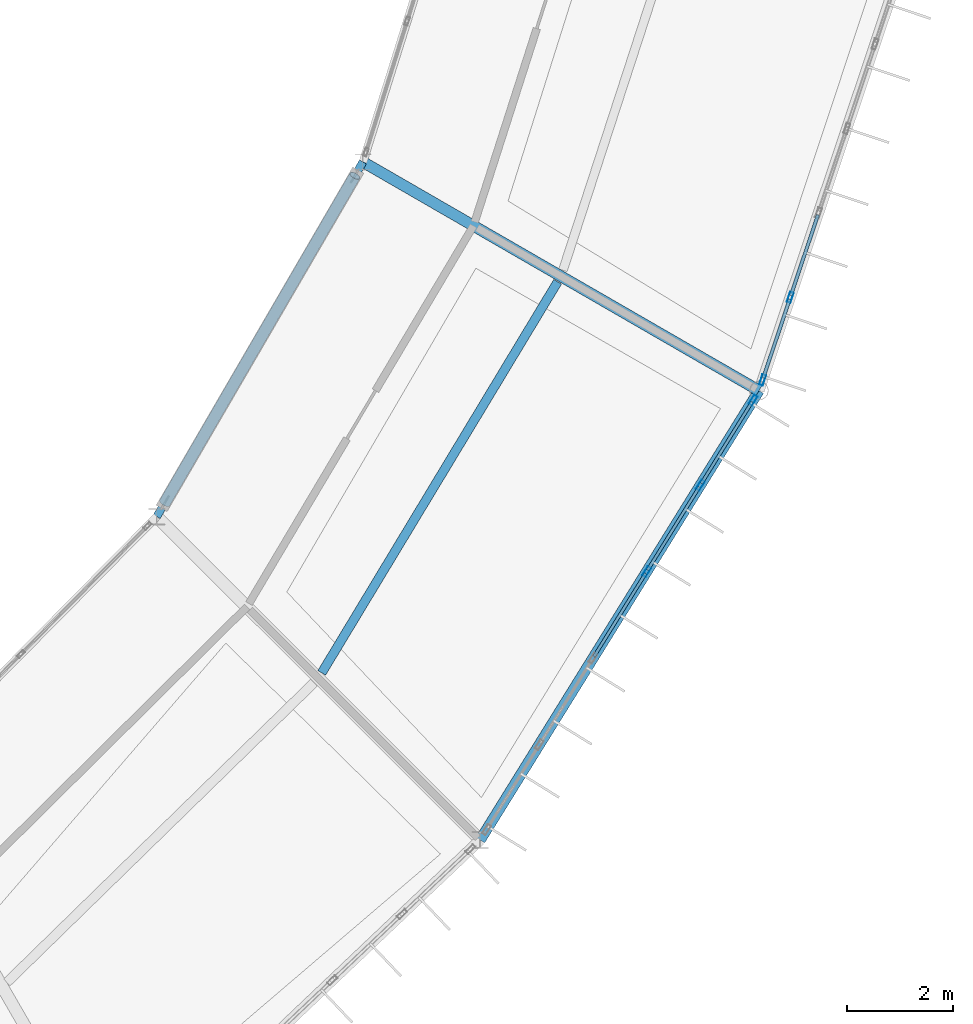
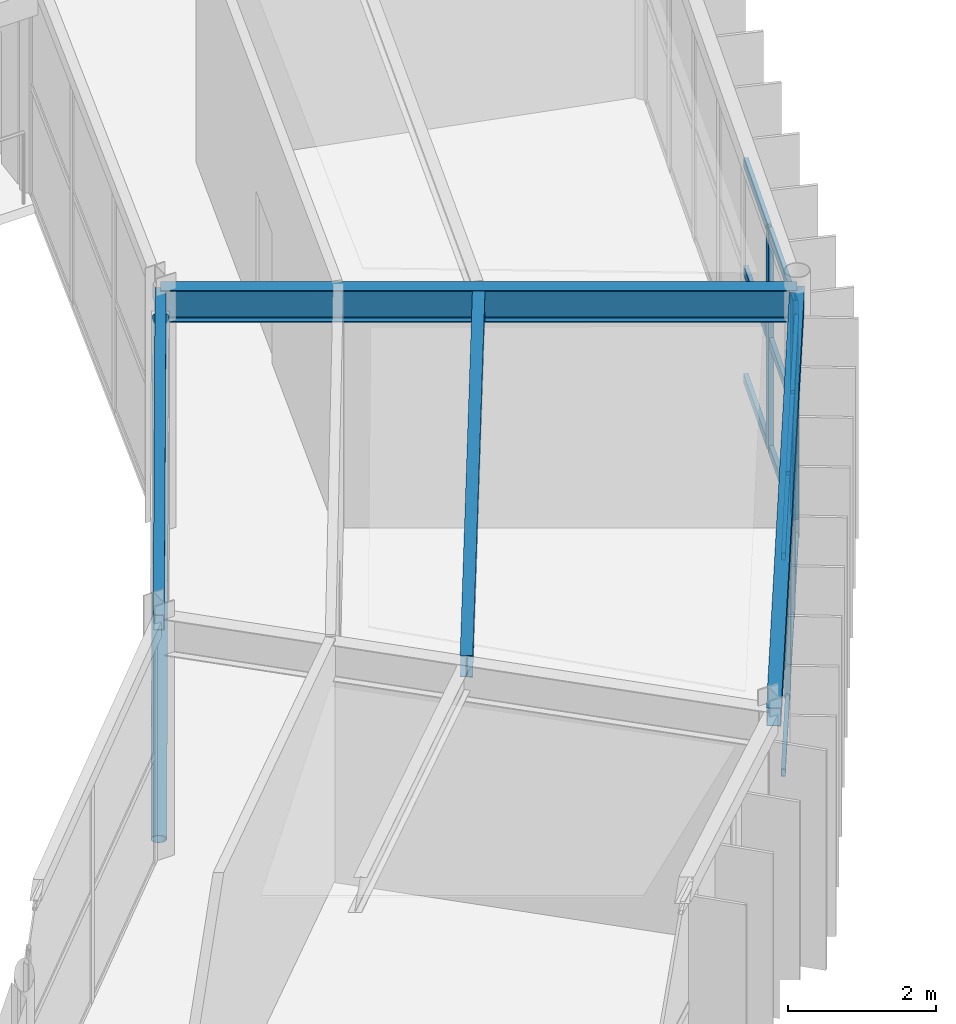
# One storey, part 54 of 148: 21 members, 4 beams, 2 elements without a shape of their own.
"""IFC4 building model written with IfcOpenShell, lengths in metres."""

from ifc_helpers import new_model, si_unit, direction, frame, origin, origin_2d, place, context, subcontext, project, spatial, hollow_rectangle, hollow_circle, i_section, extrude, material, material_profile, profile_set, type_object, element, aggregate, save


model = new_model("IFC4")

# Units and contexts
model_context = context("Model", 3, precision=1e-05, world=origin(), true_north=direction((0.0, 1.0)))
body_context = subcontext(model_context, "Body", "Model", "MODEL_VIEW")
ifc_project = project(units=[si_unit("LENGTHUNIT", "METRE"), si_unit("AREAUNIT", "SQUARE_METRE"), si_unit("VOLUMEUNIT", "CUBIC_METRE"), si_unit("PLANEANGLEUNIT", "RADIAN"), si_unit("MASSUNIT", "GRAM", prefix="KILO")], contexts=[model_context])

# Site, building, storey
site_placement = place(None, origin())
site = spatial("IfcSite", under=ifc_project, at=site_placement, CompositionType="ELEMENT")
building_placement = place(site_placement, origin())
building = spatial("IfcBuilding", under=site, at=building_placement, Name="Karori Crest Natural Sciences Institute", CompositionType="ELEMENT")
storey_placement = place(building_placement, frame((0.0, 0.0, 4.89990234375)))
storey = spatial("IfcBuildingStorey", under=building, at=storey_placement, Name="L01", CompositionType="ELEMENT", Elevation=4.89990234375)

# Beams
ifc_material_1 = material(Name="Structural steel AS/NZS 3679.1 Grade 350", Category="steel")
ifc_material_profile_1 = material_profile(ifc_material_1, i_section(OverallWidth=0.208984375, OverallDepth=0.532958984375, WebThickness=0.01025390625, FlangeThickness=0.015625, FilletRadius=0.013916015625, at=origin_2d()), Name="530UB92.4")
ifc_profile_set_1 = profile_set([ifc_material_profile_1], Name="Structural steel AS/NZS 3679.1 Grade 350")
beam_type_1 = type_object("IfcBeamType", Name="BT-05", PredefinedType="BEAM", material=ifc_profile_set_1)
beam_1_placement = place(storey_placement, frame((87.531005859375, 33.800048828125, 3.673583984375), z_axis=(0.866021068297, -0.500007509209, 0.0), x_axis=(0.500007509209, 0.866021068297, 0.0)))
element("IfcBeam", 1, at=beam_1_placement, inside=storey, type_object=beam_type_1, Name="Beam B-0266", PredefinedType="BEAM", context=body_context, shape_type="SweptSolid", body=[
    extrude(i_section(OverallWidth=0.208984375, OverallDepth=0.532958984375, WebThickness=0.01025390625, FlangeThickness=0.015625, FilletRadius=0.013916015625, at=origin_2d()), origin(), (0.0, 0.0, 1.0), 8.599853515625),
])
ifc_material_2 = material(Name="Hollow structural steel AS/NZS 1163 Grade C350", Category="steel")
ifc_material_profile_2 = material_profile(ifc_material_2, hollow_rectangle(XDim=0.199951171875, YDim=0.300048828125, WallThickness=0.010009765625, at=origin_2d()), Name="RHS300x200x10")
ifc_profile_set_2 = profile_set([ifc_material_profile_2], Name="Hollow structural steel AS/NZS 1163 Grade C350")
beam_type_2 = type_object("IfcBeamType", Name="BT-15", PredefinedType="SPANDREL", material=ifc_profile_set_2)
beam_2_placement = place(storey_placement, frame((89.734619140625, 21.050048828125, 3.7900390625), z_axis=(0.527315195609, 0.849669750244, 0.0), x_axis=(-0.849669750244, 0.527315195609, 0.0)))
element("IfcBeam", 2, at=beam_2_placement, inside=storey, type_object=beam_type_2, Name="Beam B-0260", PredefinedType="SPANDREL", context=body_context, shape_type="SweptSolid", body=[
    extrude(hollow_rectangle(XDim=0.199951171875, YDim=0.300048828125, WallThickness=0.010009765625, at=origin_2d()), origin(), (0.0, 0.0, 1.0), 9.945068359375),
])
ifc_material_profile_3 = material_profile(ifc_material_2, hollow_rectangle(XDim=0.14990234375, YDim=0.25, WallThickness=0.009033203125, at=origin_2d()), Name="RHS250x150x9")
ifc_profile_set_3 = profile_set([ifc_material_profile_3], Name="Hollow structural steel AS/NZS 1163 Grade C350")
beam_type_3 = type_object("IfcBeamType", Name="BT-16", PredefinedType="SPANDREL", material=ifc_profile_set_3)
beam_3_placement = place(storey_placement, frame((83.6533203125, 27.131103515625, 3.7900390625), z_axis=(0.502658410953, 0.864485119536, 0.0), x_axis=(-0.864485119536, 0.502658410953, 0.0)))
element("IfcBeam", 3, at=beam_3_placement, inside=storey, type_object=beam_type_3, Name="Beam B-0261", PredefinedType="SPANDREL", context=body_context, shape_type="SweptSolid", body=[
    extrude(hollow_rectangle(XDim=0.14990234375, YDim=0.25, WallThickness=0.009033203125, at=origin_2d()), origin(), (0.0, 0.0, 1.0), 7.71435546875),
])
ifc_material_profile_4 = material_profile(ifc_material_1, i_section(OverallWidth=0.1708984375, OverallDepth=0.35595703125, WebThickness=0.00732421875, FlangeThickness=0.011474609375, FilletRadius=0.010986328125, at=origin_2d()), Name="360UB50.7")
ifc_profile_set_4 = profile_set([ifc_material_profile_4], Name="Structural steel AS/NZS 3679.1 Grade 350")
beam_type_4 = type_object("IfcBeamType", Name="BT-30", PredefinedType="BEAM", material=ifc_profile_set_4)
beam_4_placement = place(storey_placement, frame((86.755859375, 24.193359375, 3.76220703125), z_axis=(0.516601017309, 0.856226248672, 0.0), x_axis=(-0.856226248672, 0.516601017309, 0.0)))
element("IfcBeam", 4, at=beam_4_placement, inside=storey, type_object=beam_type_4, Name="Beam B-0263", PredefinedType="BEAM", context=body_context, shape_type="SweptSolid", body=[
    extrude(i_section(OverallWidth=0.1708984375, OverallDepth=0.35595703125, WebThickness=0.00732421875, FlangeThickness=0.011474609375, FilletRadius=0.010986328125, at=origin_2d()), origin(), (0.0, 0.0, 1.0), 8.5888671875),
])

# Curtain wall, members
ifc_material_3 = material(Name="Anodised architectural aluminium 6063-T6", Category="aluminium")
curtain_wall_type_1 = type_object("IfcCurtainWallType", Name="CWT-02", PredefinedType="NOTDEFINED", material=ifc_material_3)
curtain_wall_1_placement = place(storey_placement, origin())
curtain_wall_1 = element("IfcCurtainWall", 5, at=curtain_wall_1_placement, inside=storey, type_object=curtain_wall_type_1, Name="Curtain wall CW-0061", PredefinedType="NOTDEFINED")
ifc_material_profile_5 = material_profile(ifc_material_3, hollow_rectangle(XDim=0.074951171875, YDim=0.199951171875, WallThickness=0.0048828125, at=origin_2d()), Name="CWM200x75x5")
ifc_profile_set_5 = profile_set([ifc_material_profile_5], Name="Anodised architectural aluminium 6063-T6")
member_type_1 = type_object("IfcMemberType", Name="CWM-02", PredefinedType="MULLION", material=ifc_profile_set_5)
member_1_placement = place(storey_placement, frame((94.8662109375, 29.31884765625, 0.0), z_axis=(0.0, 0.0, 1.0), x_axis=(0.849662102168, -0.527327518853, 0.0)))
member_1 = element("IfcMember", 6, at=member_1_placement, type_object=member_type_1, Name="CW-0061 mullion 1", PredefinedType="MULLION", context=body_context, shape_type="SweptSolid", body=[
    extrude(hollow_rectangle(XDim=0.074951171875, YDim=0.199951171875, WallThickness=0.0048828125, at=origin_2d()), origin(), (0.0, 0.0, 1.0), 3.625),
])
member_2_placement = place(storey_placement, frame((93.8759765625, 27.722900390625, 0.0), z_axis=(0.0, 0.0, 1.0), x_axis=(0.849662102168, -0.527327518853, 0.0)))
member_2 = element("IfcMember", 7, at=member_2_placement, type_object=member_type_1, Name="CW-0061 mullion 2", PredefinedType="MULLION", context=body_context, shape_type="SweptSolid", body=[
    extrude(hollow_rectangle(XDim=0.074951171875, YDim=0.199951171875, WallThickness=0.0048828125, at=origin_2d()), origin(), (0.0, 0.0, 1.0), 3.625),
])
member_3_placement = place(storey_placement, frame((92.86572265625, 26.094970703125, 0.0), z_axis=(0.0, 0.0, 1.0), x_axis=(0.849662102168, -0.527327518853, 0.0)))
member_3 = element("IfcMember", 8, at=member_3_placement, type_object=member_type_1, Name="CW-0061 mullion 3", PredefinedType="MULLION", context=body_context, shape_type="SweptSolid", body=[
    extrude(hollow_rectangle(XDim=0.074951171875, YDim=0.199951171875, WallThickness=0.0048828125, at=origin_2d()), origin(), (0.0, 0.0, 1.0), 3.625),
])

curtain_wall_type_2 = type_object("IfcCurtainWallType", Name="CWT-03", PredefinedType="NOTDEFINED", material=ifc_material_3)
curtain_wall_2_placement = place(storey_placement, origin())
curtain_wall_2 = element("IfcCurtainWall", 9, at=curtain_wall_2_placement, inside=storey, type_object=curtain_wall_type_2, Name="Curtain wall CW-0062", PredefinedType="NOTDEFINED")
member_4_placement = place(storey_placement, frame((95.56640625, 31.253662109375, 0.0), z_axis=(0.0, 0.0, 1.0), x_axis=(0.948196219586, -0.317685267462, 0.0)))
member_4 = element("IfcMember", 10, at=member_4_placement, type_object=member_type_1, Name="CW-0062 mullion 6", PredefinedType="MULLION", context=body_context, shape_type="SweptSolid", body=[
    extrude(hollow_rectangle(XDim=0.074951171875, YDim=0.199951171875, WallThickness=0.0048828125, at=origin_2d()), origin(), (0.0, 0.0, 1.0), 3.625),
])
member_5_placement = place(storey_placement, frame((95.046630859375, 29.7021484375, 0.0), z_axis=(0.0, 0.0, 1.0), x_axis=(0.948196219586, -0.317685267462, 0.0)))
member_5 = element("IfcMember", 11, at=member_5_placement, type_object=member_type_1, Name="CW-0062 mullion 7", PredefinedType="MULLION", context=body_context, shape_type="SweptSolid", body=[
    extrude(hollow_rectangle(XDim=0.074951171875, YDim=0.199951171875, WallThickness=0.0048828125, at=origin_2d()), origin(), (0.0, 0.0, 1.0), 3.625),
])

# Member
ifc_material_profile_6 = material_profile(ifc_material_3, hollow_rectangle(XDim=0.06005859375, YDim=0.1201171875, WallThickness=0.00390625, at=origin_2d()), Name="CWT120x60x4")
ifc_profile_set_6 = profile_set([ifc_material_profile_6], Name="Anodised architectural aluminium 6063-T6")
member_type_2 = type_object("IfcMemberType", Name="CWT-TR1", PredefinedType="USERDEFINED", material=ifc_profile_set_6)
member_6_placement = place(storey_placement, frame((94.846435546875, 29.286865234375, 0.030029296875), z_axis=(-0.527221301692, -0.849728014745, 0.0), x_axis=(0.849728014745, -0.527221301692, 0.0)))
member_6 = element("IfcMember", 12, at=member_6_placement, type_object=member_type_2, Name="CW-0061 transom 1.1", ObjectType="TRANSOM", PredefinedType="USERDEFINED", context=body_context, shape_type="SweptSolid", body=[
    extrude(hollow_rectangle(XDim=0.06005859375, YDim=0.1201171875, WallThickness=0.00390625, at=origin_2d()), origin(), (0.0, 0.0, 1.0), 1.80322265625),
])

member_7_placement = place(storey_placement, frame((94.846435546875, 29.286865234375, 1.8125), z_axis=(-0.527221301692, -0.849728014745, 0.0), x_axis=(0.849728014745, -0.527221301692, 0.0)))
member_7 = element("IfcMember", 13, at=member_7_placement, type_object=member_type_2, Name="CW-0061 transom 1.2", ObjectType="TRANSOM", PredefinedType="USERDEFINED", context=body_context, shape_type="SweptSolid", body=[
    extrude(hollow_rectangle(XDim=0.06005859375, YDim=0.1201171875, WallThickness=0.00390625, at=origin_2d()), origin(), (0.0, 0.0, 1.0), 1.80322265625),
])

member_8_placement = place(storey_placement, frame((94.846435546875, 29.286865234375, 3.59521484375), z_axis=(-0.527221301692, -0.849728014745, 0.0), x_axis=(0.849728014745, -0.527221301692, 0.0)))
member_8 = element("IfcMember", 14, at=member_8_placement, type_object=member_type_2, Name="CW-0061 transom 1.3", ObjectType="TRANSOM", PredefinedType="USERDEFINED", context=body_context, shape_type="SweptSolid", body=[
    extrude(hollow_rectangle(XDim=0.06005859375, YDim=0.1201171875, WallThickness=0.00390625, at=origin_2d()), origin(), (0.0, 0.0, 1.0), 1.80322265625),
])

member_9_placement = place(storey_placement, frame((93.856201171875, 27.69091796875, 0.030029296875), z_axis=(-0.527349655317, -0.84964836317, 0.0), x_axis=(0.84964836317, -0.527349655317, 0.0)))
member_9 = element("IfcMember", 15, at=member_9_placement, type_object=member_type_2, Name="CW-0061 transom 2.1", ObjectType="TRANSOM", PredefinedType="USERDEFINED", context=body_context, shape_type="SweptSolid", body=[
    extrude(hollow_rectangle(XDim=0.06005859375, YDim=0.1201171875, WallThickness=0.00390625, at=origin_2d()), origin(), (0.0, 0.0, 1.0), 1.8408203125),
])

member_10_placement = place(storey_placement, frame((93.856201171875, 27.69091796875, 1.8125), z_axis=(-0.527349655317, -0.84964836317, 0.0), x_axis=(0.84964836317, -0.527349655317, 0.0)))
member_10 = element("IfcMember", 16, at=member_10_placement, type_object=member_type_2, Name="CW-0061 transom 2.2", ObjectType="TRANSOM", PredefinedType="USERDEFINED", context=body_context, shape_type="SweptSolid", body=[
    extrude(hollow_rectangle(XDim=0.06005859375, YDim=0.1201171875, WallThickness=0.00390625, at=origin_2d()), origin(), (0.0, 0.0, 1.0), 1.8408203125),
])

member_11_placement = place(storey_placement, frame((93.856201171875, 27.69091796875, 3.59521484375), z_axis=(-0.527349655317, -0.84964836317, 0.0), x_axis=(0.84964836317, -0.527349655317, 0.0)))
member_11 = element("IfcMember", 17, at=member_11_placement, type_object=member_type_2, Name="CW-0061 transom 2.3", ObjectType="TRANSOM", PredefinedType="USERDEFINED", context=body_context, shape_type="SweptSolid", body=[
    extrude(hollow_rectangle(XDim=0.06005859375, YDim=0.1201171875, WallThickness=0.00390625, at=origin_2d()), origin(), (0.0, 0.0, 1.0), 1.8408203125),
])

member_12_placement = place(storey_placement, frame((92.845947265625, 26.063232421875, 0.030029296875), z_axis=(-0.527349655317, -0.84964836317, 0.0), x_axis=(0.84964836317, -0.527349655317, 0.0)))
member_12 = element("IfcMember", 18, at=member_12_placement, type_object=member_type_2, Name="CW-0061 transom 3.1", ObjectType="TRANSOM", PredefinedType="USERDEFINED", context=body_context, shape_type="SweptSolid", body=[
    extrude(hollow_rectangle(XDim=0.06005859375, YDim=0.1201171875, WallThickness=0.00390625, at=origin_2d()), origin(), (0.0, 0.0, 1.0), 1.8408203125),
])

member_13_placement = place(storey_placement, frame((92.845947265625, 26.063232421875, 1.8125), z_axis=(-0.527349655317, -0.84964836317, 0.0), x_axis=(0.84964836317, -0.527349655317, 0.0)))
member_13 = element("IfcMember", 19, at=member_13_placement, type_object=member_type_2, Name="CW-0061 transom 3.2", ObjectType="TRANSOM", PredefinedType="USERDEFINED", context=body_context, shape_type="SweptSolid", body=[
    extrude(hollow_rectangle(XDim=0.06005859375, YDim=0.1201171875, WallThickness=0.00390625, at=origin_2d()), origin(), (0.0, 0.0, 1.0), 1.8408203125),
])

member_14_placement = place(storey_placement, frame((92.845947265625, 26.063232421875, 3.59521484375), z_axis=(-0.527349655317, -0.84964836317, 0.0), x_axis=(0.84964836317, -0.527349655317, 0.0)))
member_14 = element("IfcMember", 20, at=member_14_placement, type_object=member_type_2, Name="CW-0061 transom 3.3", ObjectType="TRANSOM", PredefinedType="USERDEFINED", context=body_context, shape_type="SweptSolid", body=[
    extrude(hollow_rectangle(XDim=0.06005859375, YDim=0.1201171875, WallThickness=0.00390625, at=origin_2d()), origin(), (0.0, 0.0, 1.0), 1.8408203125),
])

aggregate(curtain_wall_1, [member_1, member_2, member_3, member_6, member_7, member_8, member_9, member_10, member_11, member_12, member_13, member_14])

ifc_material_profile_7 = material_profile(ifc_material_3, hollow_rectangle(XDim=0.06494140625, YDim=0.14990234375, WallThickness=0.00390625, at=origin_2d()), Name="CWT150x65x4")
ifc_profile_set_7 = profile_set([ifc_material_profile_7], Name="Anodised architectural aluminium 6063-T6")
member_type_3 = type_object("IfcMemberType", Name="CWT-TR2", PredefinedType="USERDEFINED", material=ifc_profile_set_7)
member_15_placement = place(storey_placement, frame((96.086181640625, 32.80517578125, 0.03271484375), z_axis=(-0.317784959476, -0.948162812776, 0.0), x_axis=(0.948162812776, -0.317784959476, 0.0)))
member_15 = element("IfcMember", 21, at=member_15_placement, type_object=member_type_3, Name="CW-0062 transom 5.1", ObjectType="TRANSOM", PredefinedType="USERDEFINED", context=body_context, shape_type="SweptSolid", body=[
    extrude(hollow_rectangle(XDim=0.06494140625, YDim=0.14990234375, WallThickness=0.00390625, at=origin_2d()), origin(), (0.0, 0.0, 1.0), 1.5986328125),
])

member_16_placement = place(storey_placement, frame((96.086181640625, 32.80517578125, 1.8125), z_axis=(-0.317784959476, -0.948162812776, 0.0), x_axis=(0.948162812776, -0.317784959476, 0.0)))
member_16 = element("IfcMember", 22, at=member_16_placement, type_object=member_type_3, Name="CW-0062 transom 5.2", ObjectType="TRANSOM", PredefinedType="USERDEFINED", context=body_context, shape_type="SweptSolid", body=[
    extrude(hollow_rectangle(XDim=0.06494140625, YDim=0.14990234375, WallThickness=0.00390625, at=origin_2d()), origin(), (0.0, 0.0, 1.0), 1.5986328125),
])

member_17_placement = place(storey_placement, frame((96.086181640625, 32.80517578125, 3.592529296875), z_axis=(-0.317784959476, -0.948162812776, 0.0), x_axis=(0.948162812776, -0.317784959476, 0.0)))
member_17 = element("IfcMember", 23, at=member_17_placement, type_object=member_type_3, Name="CW-0062 transom 5.3", ObjectType="TRANSOM", PredefinedType="USERDEFINED", context=body_context, shape_type="SweptSolid", body=[
    extrude(hollow_rectangle(XDim=0.06494140625, YDim=0.14990234375, WallThickness=0.00390625, at=origin_2d()), origin(), (0.0, 0.0, 1.0), 1.5986328125),
])

member_18_placement = place(storey_placement, frame((95.554443359375, 31.218017578125, 0.03271484375), z_axis=(-0.317775562464, -0.948165962214, 0.0), x_axis=(0.948165962214, -0.317775562464, 0.0)))
member_18 = element("IfcMember", 24, at=member_18_placement, type_object=member_type_3, Name="CW-0062 transom 6.1", ObjectType="TRANSOM", PredefinedType="USERDEFINED", context=body_context, shape_type="SweptSolid", body=[
    extrude(hollow_rectangle(XDim=0.06494140625, YDim=0.14990234375, WallThickness=0.00390625, at=origin_2d()), origin(), (0.0, 0.0, 1.0), 1.56103515625),
])

member_19_placement = place(storey_placement, frame((95.554443359375, 31.218017578125, 1.8125), z_axis=(-0.317775562464, -0.948165962214, 0.0), x_axis=(0.948165962214, -0.317775562464, 0.0)))
member_19 = element("IfcMember", 25, at=member_19_placement, type_object=member_type_3, Name="CW-0062 transom 6.2", ObjectType="TRANSOM", PredefinedType="USERDEFINED", context=body_context, shape_type="SweptSolid", body=[
    extrude(hollow_rectangle(XDim=0.06494140625, YDim=0.14990234375, WallThickness=0.00390625, at=origin_2d()), origin(), (0.0, 0.0, 1.0), 1.56103515625),
])

member_20_placement = place(storey_placement, frame((95.554443359375, 31.218017578125, 3.592529296875), z_axis=(-0.317775562464, -0.948165962214, 0.0), x_axis=(0.948165962214, -0.317775562464, 0.0)))
member_20 = element("IfcMember", 26, at=member_20_placement, type_object=member_type_3, Name="CW-0062 transom 6.3", ObjectType="TRANSOM", PredefinedType="USERDEFINED", context=body_context, shape_type="SweptSolid", body=[
    extrude(hollow_rectangle(XDim=0.06494140625, YDim=0.14990234375, WallThickness=0.00390625, at=origin_2d()), origin(), (0.0, 0.0, 1.0), 1.56103515625),
])

aggregate(curtain_wall_2, [member_4, member_5, member_15, member_16, member_17, member_18, member_19, member_20])

ifc_material_profile_8 = material_profile(ifc_material_2, hollow_circle(Radius=0.109619140625, WallThickness=0.00830078125, at=origin_2d()), Name="CHS219.1x8.2")
ifc_profile_set_8 = profile_set([ifc_material_profile_8], Name="Hollow structural steel AS/NZS 1163 Grade C350")
member_type_4 = type_object("IfcMemberType", Name="MT-02", PredefinedType="BRACE", material=ifc_profile_set_8)
member_21_placement = place(storey_placement, frame((83.80419921875, 27.390380859375, 0.010009765625), z_axis=(0.447462591549, 0.769609995651, 0.455497183041), x_axis=(-0.864499904405, 0.502632982686, 0.0)))
element("IfcMember", 27, at=member_21_placement, inside=storey, type_object=member_type_4, Name="Diagonal Brace M-0012", PredefinedType="BRACE", context=body_context, shape_type="SweptSolid", body=[
    extrude(hollow_circle(Radius=0.109619140625, WallThickness=0.00830078125, at=origin_2d()), origin(), (0.0, 0.0, 1.0), 7.991455078125),
])

save(model, "model.ifc")
